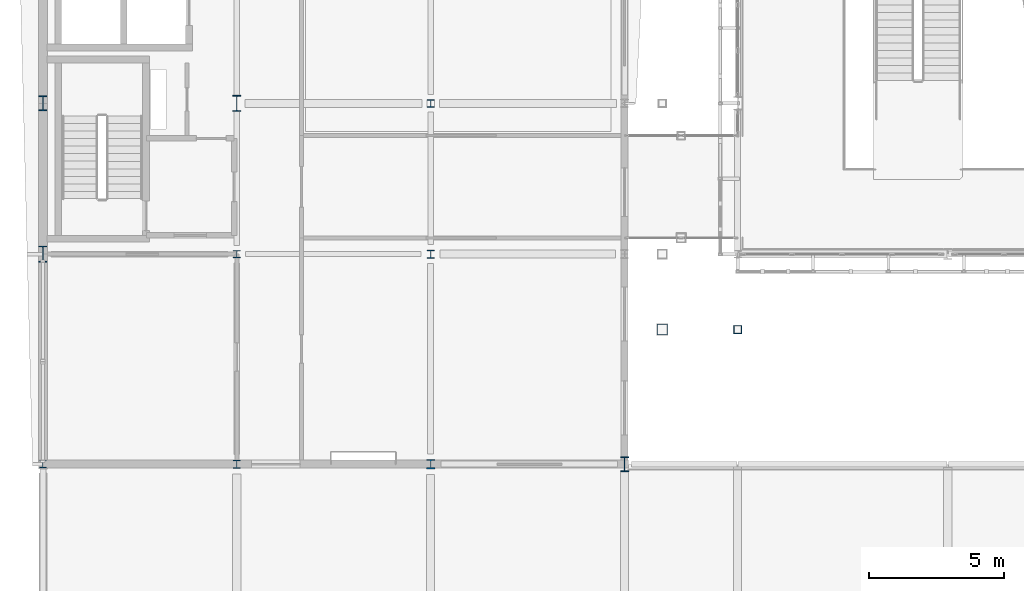
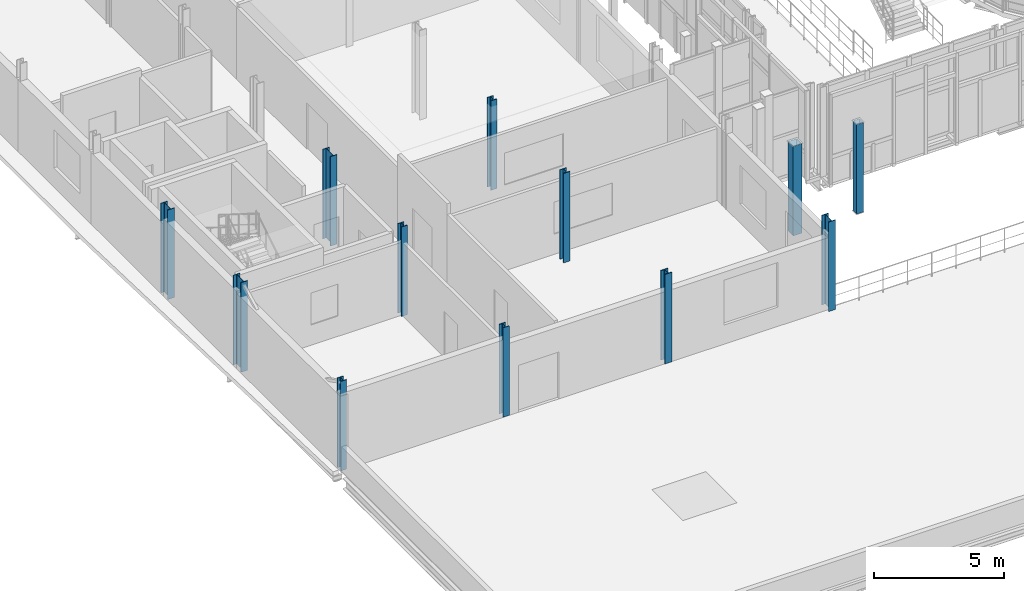
# One storey, part 1 of 138: 12 columns.
"""IFC4 building model written with IfcOpenShell, lengths in metres."""

from ifc_helpers import new_model, si_unit, direction, frame, origin, origin_2d, place, context, subcontext, project, spatial, hollow_rectangle, i_section, extrude, material, material_profile, profile_set, type_object, element, save


model = new_model("IFC4")

# Units and contexts
model_context = context("Model", 3, precision=1e-05, world=origin(), true_north=direction((0.0, 1.0)))
body_context = subcontext(model_context, "Body", "Model", "MODEL_VIEW")
ifc_project = project(units=[si_unit("LENGTHUNIT", "METRE"), si_unit("AREAUNIT", "SQUARE_METRE"), si_unit("VOLUMEUNIT", "CUBIC_METRE"), si_unit("PLANEANGLEUNIT", "RADIAN"), si_unit("MASSUNIT", "GRAM", prefix="KILO")], contexts=[model_context])

# Site, building, storey
site_placement = place(None, origin())
site = spatial("IfcSite", under=ifc_project, at=site_placement, CompositionType="ELEMENT")
building_placement = place(site_placement, origin())
building = spatial("IfcBuilding", under=site, at=building_placement, Name="Vinh Khe Railworks Police Headquarters", CompositionType="ELEMENT")
storey_placement = place(building_placement, frame((0.0, 0.0, 9.0)))
storey = spatial("IfcBuildingStorey", under=building, at=storey_placement, Name="L02", CompositionType="ELEMENT", Elevation=9.0)

# Columns
ifc_material = material(Name="Steel S355JR", Category="steel")
ifc_material_profile_1 = material_profile(ifc_material, i_section(OverallWidth=0.300048828125, OverallDepth=0.550048828125, WebThickness=0.014892578125, FlangeThickness=0.029052734375, FilletRadius=0.027099609375, at=origin_2d()), Name="HEB 550")
ifc_profile_set_1 = profile_set([ifc_material_profile_1], Name="Steel S355JR")
column_type_1 = type_object("IfcColumnType", Name="Steel Column HEB 550", PredefinedType="COLUMN", material=ifc_profile_set_1)
for number, where, z_axis, x_axis, name in (
    (1, (0.60009765625, 30.800048828125, 0.0), (0.0, 0.0, 1.0), (1.0, 0.0, 0.0), "Column COL-L02-SC-05-0030"),
    (2, (22.199951171875, 17.39990234375, 0.0), (0.0, 0.0, 1.0), (1.0, 0.0, 0.0), "Column COL-L02-SC-05-0511"),
):
    element("IfcColumn", number, at=place(storey_placement, frame(where, z_axis=z_axis, x_axis=x_axis)), inside=storey, type_object=column_type_1, Name=name, PredefinedType="COLUMN", context=body_context, shape_type="SweptSolid", body=[
        extrude(i_section(OverallWidth=0.300048828125, OverallDepth=0.550048828125, WebThickness=0.014892578125, FlangeThickness=0.029052734375, FilletRadius=0.027099609375, at=origin_2d()), origin(), (0.0, 0.0, 1.0), 4.199951171875),
    ])
ifc_material_profile_2 = material_profile(ifc_material, i_section(OverallWidth=0.300048828125, OverallDepth=0.60009765625, WebThickness=0.015380859375, FlangeThickness=0.030029296875, FilletRadius=0.027099609375, at=origin_2d()), Name="HEB 600")
ifc_profile_set_2 = profile_set([ifc_material_profile_2], Name="Steel S355JR")
column_type_2 = type_object("IfcColumnType", Name="Steel Column HEB 600", PredefinedType="COLUMN", material=ifc_profile_set_2)
for number, where, z_axis, x_axis, name in (
    (3, (0.60009765625, 25.199951171875, 0.0), (0.0, 0.0, 1.0), (1.0, 0.0, 0.0), "Column COL-L02-SC-04-0020"),
    (4, (7.800048828125, 30.800048828125, 0.0), (0.0, 0.0, 1.0), (1.0, 0.0, 0.0), "Column COL-L02-SC-04-0197"),
):
    element("IfcColumn", number, at=place(storey_placement, frame(where, z_axis=z_axis, x_axis=x_axis)), inside=storey, type_object=column_type_2, Name=name, PredefinedType="COLUMN", context=body_context, shape_type="SweptSolid", body=[
        extrude(i_section(OverallWidth=0.300048828125, OverallDepth=0.60009765625, WebThickness=0.015380859375, FlangeThickness=0.030029296875, FilletRadius=0.027099609375, at=origin_2d()), origin(), (0.0, 0.0, 1.0), 4.199951171875),
    ])
ifc_material_profile_3 = material_profile(ifc_material, i_section(OverallWidth=0.26806640625, OverallDepth=0.2900390625, WebThickness=0.01806640625, FlangeThickness=0.032470703125, FilletRadius=0.02392578125, at=origin_2d()), Name="HEM 260")
ifc_profile_set_3 = profile_set([ifc_material_profile_3], Name="Steel S355JR")
column_type_3 = type_object("IfcColumnType", Name="Steel Column HEM 260", PredefinedType="COLUMN", material=ifc_profile_set_3)
for number, where, z_axis, x_axis, name in (
    (5, (0.60009765625, 17.39990234375, 0.0), (0.0, 0.0, 1.0), (1.0, 0.0, 0.0), "Column COL-L02-SC-03-0010"),
    (6, (7.800048828125, 25.199951171875, 0.0), (0.0, 0.0, 1.0), (1.0, 0.0, 0.0), "Column COL-L02-SC-03-0187"),
    (7, (15.0, 30.800048828125, 0.0), (0.0, 0.0, 1.0), (1.0, 0.0, 0.0), "Column COL-L02-SC-03-0364"),
):
    element("IfcColumn", number, at=place(storey_placement, frame(where, z_axis=z_axis, x_axis=x_axis)), inside=storey, type_object=column_type_3, Name=name, PredefinedType="COLUMN", context=body_context, shape_type="SweptSolid", body=[
        extrude(i_section(OverallWidth=0.26806640625, OverallDepth=0.2900390625, WebThickness=0.01806640625, FlangeThickness=0.032470703125, FilletRadius=0.02392578125, at=origin_2d()), origin(), (0.0, 0.0, 1.0), 4.199951171875),
    ])
ifc_material_profile_4 = material_profile(ifc_material, i_section(OverallWidth=0.2880859375, OverallDepth=0.31005859375, WebThickness=0.0185546875, FlangeThickness=0.032958984375, FilletRadius=0.02392578125, at=origin_2d()), Name="HEM 280")
ifc_profile_set_4 = profile_set([ifc_material_profile_4], Name="Steel S355JR")
column_type_4 = type_object("IfcColumnType", Name="Steel Column HEM 280", PredefinedType="COLUMN", material=ifc_profile_set_4)
for number, where, z_axis, x_axis, name in (
    (8, (7.800048828125, 17.39990234375, 0.0), (0.0, 0.0, 1.0), (1.0, 0.0, 0.0), "Column COL-L02-SC-02-0177"),
    (9, (15.0, 25.199951171875, 0.0), (0.0, 0.0, 1.0), (1.0, 0.0, 0.0), "Column COL-L02-SC-02-0354"),
):
    element("IfcColumn", number, at=place(storey_placement, frame(where, z_axis=z_axis, x_axis=x_axis)), inside=storey, type_object=column_type_4, Name=name, PredefinedType="COLUMN", context=body_context, shape_type="SweptSolid", body=[
        extrude(i_section(OverallWidth=0.2880859375, OverallDepth=0.31005859375, WebThickness=0.0185546875, FlangeThickness=0.032958984375, FilletRadius=0.02392578125, at=origin_2d()), origin(), (0.0, 0.0, 1.0), 4.199951171875),
    ])
ifc_material_profile_5 = material_profile(ifc_material, i_section(OverallWidth=0.31005859375, OverallDepth=0.340087890625, WebThickness=0.02099609375, FlangeThickness=0.0390625, FilletRadius=0.027099609375, at=origin_2d()), Name="HEM 300")
ifc_profile_set_5 = profile_set([ifc_material_profile_5], Name="Steel S355JR")
column_type_5 = type_object("IfcColumnType", Name="Steel Column HEM 300", PredefinedType="COLUMN", material=ifc_profile_set_5)
column_1_placement = place(storey_placement, frame((15.0, 17.39990234375, 0.0), z_axis=(0.0, 0.0, 1.0), x_axis=(1.0, 0.0, 0.0)))
element("IfcColumn", 10, at=column_1_placement, inside=storey, type_object=column_type_5, Name="Column COL-L02-SC-01-0344", PredefinedType="COLUMN", context=body_context, shape_type="SweptSolid", body=[
    extrude(i_section(OverallWidth=0.31005859375, OverallDepth=0.340087890625, WebThickness=0.02099609375, FlangeThickness=0.0390625, FilletRadius=0.027099609375, at=origin_2d()), origin(), (0.0, 0.0, 1.0), 4.199951171875),
])
ifc_material_profile_6 = material_profile(ifc_material, hollow_rectangle(XDim=0.300048828125, YDim=0.300048828125, WallThickness=0.01611328125, at=origin_2d()), Name="SHS 300x300x16")
ifc_profile_set_6 = profile_set([ifc_material_profile_6], Name="Steel S355JR")
column_type_6 = type_object("IfcColumnType", Name="Steel Column SHS 300x300x16", PredefinedType="COLUMN", material=ifc_profile_set_6)
column_2_placement = place(storey_placement, frame((26.39990234375, 22.39990234375, 0.0), z_axis=(0.0, 0.0, 1.0), x_axis=(1.0, 0.0, 0.0)))
element("IfcColumn", 11, at=column_2_placement, inside=storey, type_object=column_type_6, Name="Column COL-L02-SC-23-0720", PredefinedType="COLUMN", context=body_context, shape_type="SweptSolid", body=[
    extrude(hollow_rectangle(XDim=0.300048828125, YDim=0.300048828125, WallThickness=0.01611328125, at=origin_2d()), origin(), (0.0, 0.0, 1.0), 4.199951171875),
])
ifc_material_profile_7 = material_profile(ifc_material, hollow_rectangle(XDim=0.39990234375, YDim=0.39990234375, WallThickness=0.02001953125, at=origin_2d()), Name="SHS 400x400x20")
ifc_profile_set_7 = profile_set([ifc_material_profile_7], Name="Steel S355JR")
column_type_7 = type_object("IfcColumnType", Name="Steel Column SHS 400x400x20", PredefinedType="COLUMN", material=ifc_profile_set_7)
column_3_placement = place(storey_placement, frame((23.60009765625, 22.39990234375, 0.0), z_axis=(0.0, 0.0, 1.0), x_axis=(1.0, 0.0, 0.0)))
element("IfcColumn", 12, at=column_3_placement, inside=storey, type_object=column_type_7, Name="Column COL-L02-SC-21-0658", PredefinedType="COLUMN", context=body_context, shape_type="SweptSolid", body=[
    extrude(hollow_rectangle(XDim=0.39990234375, YDim=0.39990234375, WallThickness=0.02001953125, at=origin_2d()), origin(), (0.0, 0.0, 1.0), 4.199951171875),
])

save(model, "model.ifc")
